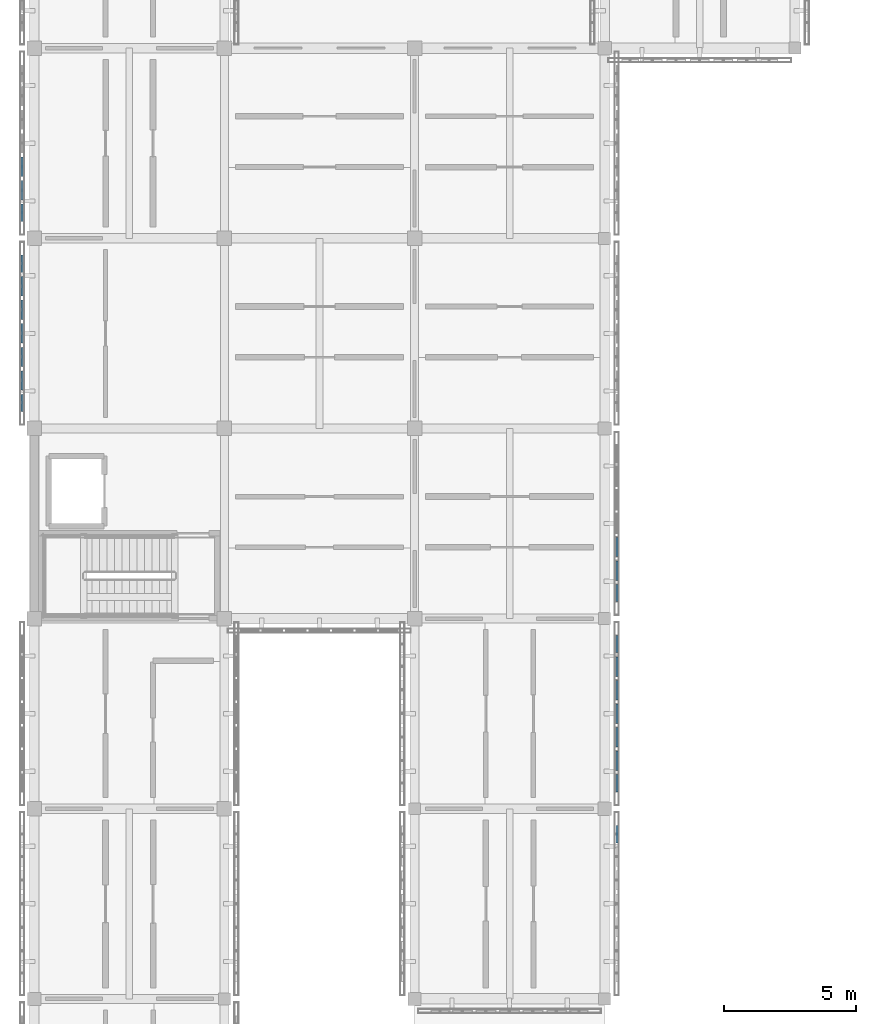
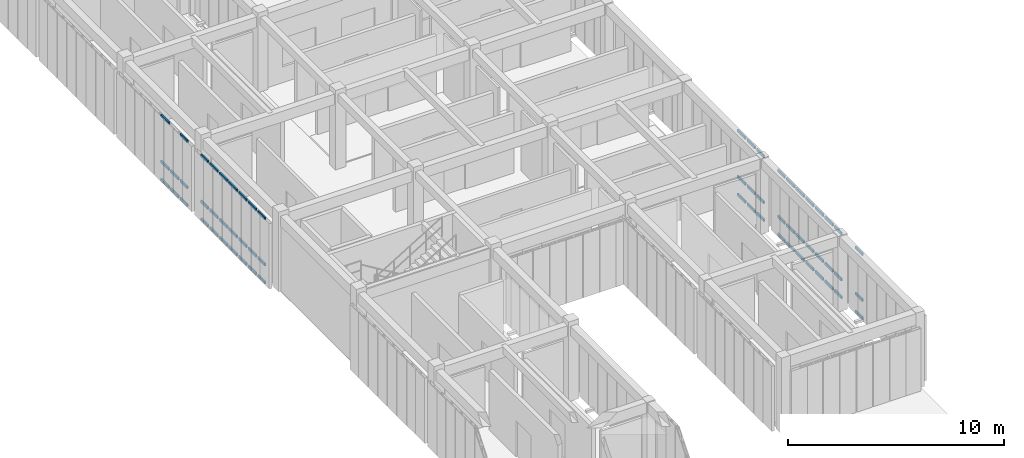
# One storey, part 20 of 91: 62 members, 5 elements without a shape of their own.
"""IFC4 building model written with IfcOpenShell, lengths in metres."""

from ifc_helpers import new_model, si_unit, direction, frame, origin, origin_2d, place, context, subcontext, project, spatial, hollow_rectangle, extrude, material, material_profile, profile_set, type_object, element, aggregate, save


model = new_model("IFC4")

# Units and contexts
model_context = context("Model", 3, precision=1e-05, world=origin(), true_north=direction((0.0, 1.0)))
body_context = subcontext(model_context, "Body", "Model", "MODEL_VIEW")
ifc_project = project(units=[si_unit("LENGTHUNIT", "METRE"), si_unit("AREAUNIT", "SQUARE_METRE"), si_unit("VOLUMEUNIT", "CUBIC_METRE"), si_unit("PLANEANGLEUNIT", "RADIAN"), si_unit("MASSUNIT", "GRAM", prefix="KILO")], contexts=[model_context])

# Site, building, storey
site_placement = place(None, origin())
site = spatial("IfcSite", under=ifc_project, at=site_placement, CompositionType="ELEMENT")
building_placement = place(site_placement, origin())
building = spatial("IfcBuilding", under=site, at=building_placement, Name="Aldebral Square Health Centre", CompositionType="ELEMENT")
storey_placement = place(building_placement, frame((0.0, 0.0, 9.0)))
storey = spatial("IfcBuildingStorey", under=building, at=storey_placement, Name="L02", CompositionType="ELEMENT", Elevation=9.0)

# Curtain wall, members
ifc_material_1 = material(Name="Aluminium and low-E solar glass", Category="aluminium")
curtain_wall_type = type_object("IfcCurtainWallType", Name="CW-FIN-SYS", PredefinedType="USERDEFINED", material=ifc_material_1)
curtain_wall_1_placement = place(storey_placement, origin())
curtain_wall_1 = element("IfcCurtainWall", 1, at=curtain_wall_1_placement, inside=storey, type_object=curtain_wall_type, Name="L02 V6 finned curtain wall L02-V6-00-05-W", ObjectType="SOLAR_CURTAIN_WALL", PredefinedType="USERDEFINED")
ifc_material_2 = material(Name="Anodised aluminium transom", Category="aluminium")
ifc_material_profile = material_profile(ifc_material_2, hollow_rectangle(XDim=0.074951171875, YDim=0.14990234375, WallThickness=0.00390625, at=origin_2d()), Name="CWT 75x150x4")
ifc_profile_set = profile_set([ifc_material_profile], Name="Anodised aluminium transom")
member_type = type_object("IfcMemberType", Name="CWT-STD", PredefinedType="USERDEFINED", material=ifc_profile_set)
member_1_placement = place(storey_placement, frame((-0.4599609375, 42.56005859375, 0.03759765625), z_axis=(0.0, -1.0, 0.0), x_axis=(1.0, 0.0, 0.0)))
member_1 = element("IfcMember", 2, at=member_1_placement, type_object=member_type, Name="CW1 transom 1.1", ObjectType="TRANSOM", PredefinedType="USERDEFINED", context=body_context, shape_type="SweptSolid", body=[
    extrude(hollow_rectangle(XDim=0.074951171875, YDim=0.14990234375, WallThickness=0.00390625, at=origin_2d()), origin(), (0.0, 0.0, 1.0), 0.6513671875),
])
member_2_placement = place(storey_placement, frame((-0.4599609375, 42.56005859375, 1.050048828125), z_axis=(0.0, -1.0, 0.0), x_axis=(1.0, 0.0, 0.0)))
member_2 = element("IfcMember", 3, at=member_2_placement, type_object=member_type, Name="CW1 transom 1.2", ObjectType="TRANSOM", PredefinedType="USERDEFINED", context=body_context, shape_type="SweptSolid", body=[
    extrude(hollow_rectangle(XDim=0.074951171875, YDim=0.14990234375, WallThickness=0.00390625, at=origin_2d()), origin(), (0.0, 0.0, 1.0), 0.6513671875),
])
member_3_placement = place(storey_placement, frame((-0.4599609375, 42.56005859375, 3.652587890625), z_axis=(0.0, -1.0, 0.0), x_axis=(1.0, 0.0, 0.0)))
member_3 = element("IfcMember", 4, at=member_3_placement, type_object=member_type, Name="CW1 transom 1.3", ObjectType="TRANSOM", PredefinedType="USERDEFINED", context=body_context, shape_type="SweptSolid", body=[
    extrude(hollow_rectangle(XDim=0.074951171875, YDim=0.14990234375, WallThickness=0.00390625, at=origin_2d()), origin(), (0.0, 0.0, 1.0), 0.6513671875),
])
member_4_placement = place(storey_placement, frame((-0.4599609375, 41.74853515625, 0.03759765625), z_axis=(0.0, -1.0, 0.0), x_axis=(1.0, 0.0, 0.0)))
member_4 = element("IfcMember", 5, at=member_4_placement, type_object=member_type, Name="CW1 transom 2.1", ObjectType="TRANSOM", PredefinedType="USERDEFINED", context=body_context, shape_type="SweptSolid", body=[
    extrude(hollow_rectangle(XDim=0.074951171875, YDim=0.14990234375, WallThickness=0.00390625, at=origin_2d()), origin(), (0.0, 0.0, 1.0), 0.7314453125),
])
member_5_placement = place(storey_placement, frame((-0.4599609375, 41.74853515625, 1.050048828125), z_axis=(0.0, -1.0, 0.0), x_axis=(1.0, 0.0, 0.0)))
member_5 = element("IfcMember", 6, at=member_5_placement, type_object=member_type, Name="CW1 transom 2.2", ObjectType="TRANSOM", PredefinedType="USERDEFINED", context=body_context, shape_type="SweptSolid", body=[
    extrude(hollow_rectangle(XDim=0.074951171875, YDim=0.14990234375, WallThickness=0.00390625, at=origin_2d()), origin(), (0.0, 0.0, 1.0), 0.7314453125),
])
member_6_placement = place(storey_placement, frame((-0.4599609375, 41.74853515625, 3.652587890625), z_axis=(0.0, -1.0, 0.0), x_axis=(1.0, 0.0, 0.0)))
member_6 = element("IfcMember", 7, at=member_6_placement, type_object=member_type, Name="CW1 transom 2.3", ObjectType="TRANSOM", PredefinedType="USERDEFINED", context=body_context, shape_type="SweptSolid", body=[
    extrude(hollow_rectangle(XDim=0.074951171875, YDim=0.14990234375, WallThickness=0.00390625, at=origin_2d()), origin(), (0.0, 0.0, 1.0), 0.7314453125),
])
member_7_placement = place(storey_placement, frame((-0.4599609375, 40.857177734375, 0.03759765625), z_axis=(0.0, -1.0, 0.0), x_axis=(1.0, 0.0, 0.0)))
member_7 = element("IfcMember", 8, at=member_7_placement, type_object=member_type, Name="CW1 transom 3.1", ObjectType="TRANSOM", PredefinedType="USERDEFINED", context=body_context, shape_type="SweptSolid", body=[
    extrude(hollow_rectangle(XDim=0.074951171875, YDim=0.14990234375, WallThickness=0.00390625, at=origin_2d()), origin(), (0.0, 0.0, 1.0), 0.7314453125),
])
member_8_placement = place(storey_placement, frame((-0.4599609375, 40.857177734375, 1.050048828125), z_axis=(0.0, -1.0, 0.0), x_axis=(1.0, 0.0, 0.0)))
member_8 = element("IfcMember", 9, at=member_8_placement, type_object=member_type, Name="CW1 transom 3.2", ObjectType="TRANSOM", PredefinedType="USERDEFINED", context=body_context, shape_type="SweptSolid", body=[
    extrude(hollow_rectangle(XDim=0.074951171875, YDim=0.14990234375, WallThickness=0.00390625, at=origin_2d()), origin(), (0.0, 0.0, 1.0), 0.7314453125),
])
member_9_placement = place(storey_placement, frame((-0.4599609375, 40.857177734375, 3.652587890625), z_axis=(0.0, -1.0, 0.0), x_axis=(1.0, 0.0, 0.0)))
member_9 = element("IfcMember", 10, at=member_9_placement, type_object=member_type, Name="CW1 transom 3.3", ObjectType="TRANSOM", PredefinedType="USERDEFINED", context=body_context, shape_type="SweptSolid", body=[
    extrude(hollow_rectangle(XDim=0.074951171875, YDim=0.14990234375, WallThickness=0.00390625, at=origin_2d()), origin(), (0.0, 0.0, 1.0), 0.7314453125),
])
member_10_placement = place(storey_placement, frame((-0.4599609375, 39.9658203125, 0.03759765625), z_axis=(0.0, -1.0, 0.0), x_axis=(1.0, 0.0, 0.0)))
member_10 = element("IfcMember", 11, at=member_10_placement, type_object=member_type, Name="CW1 transom 4.1", ObjectType="TRANSOM", PredefinedType="USERDEFINED", context=body_context, shape_type="SweptSolid", body=[
    extrude(hollow_rectangle(XDim=0.074951171875, YDim=0.14990234375, WallThickness=0.00390625, at=origin_2d()), origin(), (0.0, 0.0, 1.0), 0.7314453125),
])
member_11_placement = place(storey_placement, frame((-0.4599609375, 39.9658203125, 1.050048828125), z_axis=(0.0, -1.0, 0.0), x_axis=(1.0, 0.0, 0.0)))
member_11 = element("IfcMember", 12, at=member_11_placement, type_object=member_type, Name="CW1 transom 4.2", ObjectType="TRANSOM", PredefinedType="USERDEFINED", context=body_context, shape_type="SweptSolid", body=[
    extrude(hollow_rectangle(XDim=0.074951171875, YDim=0.14990234375, WallThickness=0.00390625, at=origin_2d()), origin(), (0.0, 0.0, 1.0), 0.7314453125),
])
member_12_placement = place(storey_placement, frame((-0.4599609375, 39.9658203125, 3.652587890625), z_axis=(0.0, -1.0, 0.0), x_axis=(1.0, 0.0, 0.0)))
member_12 = element("IfcMember", 13, at=member_12_placement, type_object=member_type, Name="CW1 transom 4.3", ObjectType="TRANSOM", PredefinedType="USERDEFINED", context=body_context, shape_type="SweptSolid", body=[
    extrude(hollow_rectangle(XDim=0.074951171875, YDim=0.14990234375, WallThickness=0.00390625, at=origin_2d()), origin(), (0.0, 0.0, 1.0), 0.7314453125),
])
member_13_placement = place(storey_placement, frame((-0.4599609375, 39.07421875, 0.03759765625), z_axis=(0.0, -1.0, 0.0), x_axis=(1.0, 0.0, 0.0)))
member_13 = element("IfcMember", 14, at=member_13_placement, type_object=member_type, Name="CW1 transom 5.1", ObjectType="TRANSOM", PredefinedType="USERDEFINED", context=body_context, shape_type="SweptSolid", body=[
    extrude(hollow_rectangle(XDim=0.074951171875, YDim=0.14990234375, WallThickness=0.00390625, at=origin_2d()), origin(), (0.0, 0.0, 1.0), 0.7314453125),
])
member_14_placement = place(storey_placement, frame((-0.4599609375, 39.07421875, 1.050048828125), z_axis=(0.0, -1.0, 0.0), x_axis=(1.0, 0.0, 0.0)))
member_14 = element("IfcMember", 15, at=member_14_placement, type_object=member_type, Name="CW1 transom 5.2", ObjectType="TRANSOM", PredefinedType="USERDEFINED", context=body_context, shape_type="SweptSolid", body=[
    extrude(hollow_rectangle(XDim=0.074951171875, YDim=0.14990234375, WallThickness=0.00390625, at=origin_2d()), origin(), (0.0, 0.0, 1.0), 0.7314453125),
])
member_15_placement = place(storey_placement, frame((-0.4599609375, 39.07421875, 3.652587890625), z_axis=(0.0, -1.0, 0.0), x_axis=(1.0, 0.0, 0.0)))
member_15 = element("IfcMember", 16, at=member_15_placement, type_object=member_type, Name="CW1 transom 5.3", ObjectType="TRANSOM", PredefinedType="USERDEFINED", context=body_context, shape_type="SweptSolid", body=[
    extrude(hollow_rectangle(XDim=0.074951171875, YDim=0.14990234375, WallThickness=0.00390625, at=origin_2d()), origin(), (0.0, 0.0, 1.0), 0.7314453125),
])
member_16_placement = place(storey_placement, frame((-0.4599609375, 38.182861328125, 0.03759765625), z_axis=(0.0, -1.0, 0.0), x_axis=(1.0, 0.0, 0.0)))
member_16 = element("IfcMember", 17, at=member_16_placement, type_object=member_type, Name="CW1 transom 6.1", ObjectType="TRANSOM", PredefinedType="USERDEFINED", context=body_context, shape_type="SweptSolid", body=[
    extrude(hollow_rectangle(XDim=0.074951171875, YDim=0.14990234375, WallThickness=0.00390625, at=origin_2d()), origin(), (0.0, 0.0, 1.0), 0.7314453125),
])
member_17_placement = place(storey_placement, frame((-0.4599609375, 38.182861328125, 1.050048828125), z_axis=(0.0, -1.0, 0.0), x_axis=(1.0, 0.0, 0.0)))
member_17 = element("IfcMember", 18, at=member_17_placement, type_object=member_type, Name="CW1 transom 6.2", ObjectType="TRANSOM", PredefinedType="USERDEFINED", context=body_context, shape_type="SweptSolid", body=[
    extrude(hollow_rectangle(XDim=0.074951171875, YDim=0.14990234375, WallThickness=0.00390625, at=origin_2d()), origin(), (0.0, 0.0, 1.0), 0.7314453125),
])
member_18_placement = place(storey_placement, frame((-0.4599609375, 38.182861328125, 3.652587890625), z_axis=(0.0, -1.0, 0.0), x_axis=(1.0, 0.0, 0.0)))
member_18 = element("IfcMember", 19, at=member_18_placement, type_object=member_type, Name="CW1 transom 6.3", ObjectType="TRANSOM", PredefinedType="USERDEFINED", context=body_context, shape_type="SweptSolid", body=[
    extrude(hollow_rectangle(XDim=0.074951171875, YDim=0.14990234375, WallThickness=0.00390625, at=origin_2d()), origin(), (0.0, 0.0, 1.0), 0.7314453125),
])
member_19_placement = place(storey_placement, frame((-0.4599609375, 37.29150390625, 0.03759765625), z_axis=(0.0, -1.0, 0.0), x_axis=(1.0, 0.0, 0.0)))
member_19 = element("IfcMember", 20, at=member_19_placement, type_object=member_type, Name="CW1 transom 7.1", ObjectType="TRANSOM", PredefinedType="USERDEFINED", context=body_context, shape_type="SweptSolid", body=[
    extrude(hollow_rectangle(XDim=0.074951171875, YDim=0.14990234375, WallThickness=0.00390625, at=origin_2d()), origin(), (0.0, 0.0, 1.0), 0.651611328125),
])
member_20_placement = place(storey_placement, frame((-0.4599609375, 37.29150390625, 1.050048828125), z_axis=(0.0, -1.0, 0.0), x_axis=(1.0, 0.0, 0.0)))
member_20 = element("IfcMember", 21, at=member_20_placement, type_object=member_type, Name="CW1 transom 7.2", ObjectType="TRANSOM", PredefinedType="USERDEFINED", context=body_context, shape_type="SweptSolid", body=[
    extrude(hollow_rectangle(XDim=0.074951171875, YDim=0.14990234375, WallThickness=0.00390625, at=origin_2d()), origin(), (0.0, 0.0, 1.0), 0.651611328125),
])
member_21_placement = place(storey_placement, frame((-0.4599609375, 37.29150390625, 3.652587890625), z_axis=(0.0, -1.0, 0.0), x_axis=(1.0, 0.0, 0.0)))
member_21 = element("IfcMember", 22, at=member_21_placement, type_object=member_type, Name="CW1 transom 7.3", ObjectType="TRANSOM", PredefinedType="USERDEFINED", context=body_context, shape_type="SweptSolid", body=[
    extrude(hollow_rectangle(XDim=0.074951171875, YDim=0.14990234375, WallThickness=0.00390625, at=origin_2d()), origin(), (0.0, 0.0, 1.0), 0.651611328125),
])
aggregate(curtain_wall_1, [member_1, member_2, member_3, member_4, member_5, member_6, member_7, member_8, member_9, member_10, member_11, member_12, member_13, member_14, member_15, member_16, member_17, member_18, member_19, member_20, member_21])

curtain_wall_2_placement = place(storey_placement, origin())
curtain_wall_2 = element("IfcCurtainWall", 23, at=curtain_wall_2_placement, inside=storey, type_object=curtain_wall_type, Name="L02 V6 finned curtain wall L02-V6-00-06-W", ObjectType="SOLAR_CURTAIN_WALL", PredefinedType="USERDEFINED")
member_22_placement = place(storey_placement, frame((-0.4599609375, 46.274169921875, 0.03759765625), z_axis=(0.0, -1.0, 0.0), x_axis=(1.0, 0.0, 0.0)))
member_22 = element("IfcMember", 24, at=member_22_placement, type_object=member_type, Name="CW1 transom 5.1", ObjectType="TRANSOM", PredefinedType="USERDEFINED", context=body_context, shape_type="SweptSolid", body=[
    extrude(hollow_rectangle(XDim=0.074951171875, YDim=0.14990234375, WallThickness=0.00390625, at=origin_2d()), origin(), (0.0, 0.0, 1.0), 0.731201171875),
])
member_23_placement = place(storey_placement, frame((-0.4599609375, 46.274169921875, 1.050048828125), z_axis=(0.0, -1.0, 0.0), x_axis=(1.0, 0.0, 0.0)))
member_23 = element("IfcMember", 25, at=member_23_placement, type_object=member_type, Name="CW1 transom 5.2", ObjectType="TRANSOM", PredefinedType="USERDEFINED", context=body_context, shape_type="SweptSolid", body=[
    extrude(hollow_rectangle(XDim=0.074951171875, YDim=0.14990234375, WallThickness=0.00390625, at=origin_2d()), origin(), (0.0, 0.0, 1.0), 0.731201171875),
])
member_24_placement = place(storey_placement, frame((-0.4599609375, 46.274169921875, 3.652587890625), z_axis=(0.0, -1.0, 0.0), x_axis=(1.0, 0.0, 0.0)))
member_24 = element("IfcMember", 26, at=member_24_placement, type_object=member_type, Name="CW1 transom 5.3", ObjectType="TRANSOM", PredefinedType="USERDEFINED", context=body_context, shape_type="SweptSolid", body=[
    extrude(hollow_rectangle(XDim=0.074951171875, YDim=0.14990234375, WallThickness=0.00390625, at=origin_2d()), origin(), (0.0, 0.0, 1.0), 0.731201171875),
])
member_25_placement = place(storey_placement, frame((-0.4599609375, 45.3828125, 0.03759765625), z_axis=(0.0, -1.0, 0.0), x_axis=(1.0, 0.0, 0.0)))
member_25 = element("IfcMember", 27, at=member_25_placement, type_object=member_type, Name="CW1 transom 6.1", ObjectType="TRANSOM", PredefinedType="USERDEFINED", context=body_context, shape_type="SweptSolid", body=[
    extrude(hollow_rectangle(XDim=0.074951171875, YDim=0.14990234375, WallThickness=0.00390625, at=origin_2d()), origin(), (0.0, 0.0, 1.0), 0.7314453125),
])
member_26_placement = place(storey_placement, frame((-0.4599609375, 45.3828125, 1.050048828125), z_axis=(0.0, -1.0, 0.0), x_axis=(1.0, 0.0, 0.0)))
member_26 = element("IfcMember", 28, at=member_26_placement, type_object=member_type, Name="CW1 transom 6.2", ObjectType="TRANSOM", PredefinedType="USERDEFINED", context=body_context, shape_type="SweptSolid", body=[
    extrude(hollow_rectangle(XDim=0.074951171875, YDim=0.14990234375, WallThickness=0.00390625, at=origin_2d()), origin(), (0.0, 0.0, 1.0), 0.7314453125),
])
member_27_placement = place(storey_placement, frame((-0.4599609375, 44.491455078125, 0.03759765625), z_axis=(0.0, -1.0, 0.0), x_axis=(1.0, 0.0, 0.0)))
member_27 = element("IfcMember", 29, at=member_27_placement, type_object=member_type, Name="CW1 transom 7.1", ObjectType="TRANSOM", PredefinedType="USERDEFINED", context=body_context, shape_type="SweptSolid", body=[
    extrude(hollow_rectangle(XDim=0.074951171875, YDim=0.14990234375, WallThickness=0.00390625, at=origin_2d()), origin(), (0.0, 0.0, 1.0), 0.6513671875),
])
member_28_placement = place(storey_placement, frame((-0.4599609375, 44.491455078125, 1.050048828125), z_axis=(0.0, -1.0, 0.0), x_axis=(1.0, 0.0, 0.0)))
member_28 = element("IfcMember", 30, at=member_28_placement, type_object=member_type, Name="CW1 transom 7.2", ObjectType="TRANSOM", PredefinedType="USERDEFINED", context=body_context, shape_type="SweptSolid", body=[
    extrude(hollow_rectangle(XDim=0.074951171875, YDim=0.14990234375, WallThickness=0.00390625, at=origin_2d()), origin(), (0.0, 0.0, 1.0), 0.6513671875),
])
member_29_placement = place(storey_placement, frame((-0.4599609375, 44.491455078125, 3.652587890625), z_axis=(0.0, -1.0, 0.0), x_axis=(1.0, 0.0, 0.0)))
member_29 = element("IfcMember", 31, at=member_29_placement, type_object=member_type, Name="CW1 transom 7.3", ObjectType="TRANSOM", PredefinedType="USERDEFINED", context=body_context, shape_type="SweptSolid", body=[
    extrude(hollow_rectangle(XDim=0.074951171875, YDim=0.14990234375, WallThickness=0.00390625, at=origin_2d()), origin(), (0.0, 0.0, 1.0), 0.6513671875),
])
aggregate(curtain_wall_2, [member_22, member_23, member_24, member_25, member_26, member_27, member_28, member_29])

curtain_wall_3_placement = place(storey_placement, origin())
curtain_wall_3 = element("IfcCurtainWall", 32, at=curtain_wall_3_placement, inside=storey, type_object=curtain_wall_type, Name="L02 V6 finned curtain wall L02-V6-02-02-E", ObjectType="SOLAR_CURTAIN_WALL", PredefinedType="USERDEFINED")
member_30_placement = place(storey_placement, frame((22.06005859375, 20.30859375, 0.03759765625), z_axis=(0.0, 1.0, 0.0), x_axis=(-1.0, 0.0, 0.0)))
member_30 = element("IfcMember", 33, at=member_30_placement, type_object=member_type, Name="CW1 transom 7.1", ObjectType="TRANSOM", PredefinedType="USERDEFINED", context=body_context, shape_type="SweptSolid", body=[
    extrude(hollow_rectangle(XDim=0.074951171875, YDim=0.14990234375, WallThickness=0.00390625, at=origin_2d()), origin(), (0.0, 0.0, 1.0), 0.6513671875),
])
member_31_placement = place(storey_placement, frame((22.06005859375, 20.30859375, 1.050048828125), z_axis=(0.0, 1.0, 0.0), x_axis=(-1.0, 0.0, 0.0)))
member_31 = element("IfcMember", 34, at=member_31_placement, type_object=member_type, Name="CW1 transom 7.2", ObjectType="TRANSOM", PredefinedType="USERDEFINED", context=body_context, shape_type="SweptSolid", body=[
    extrude(hollow_rectangle(XDim=0.074951171875, YDim=0.14990234375, WallThickness=0.00390625, at=origin_2d()), origin(), (0.0, 0.0, 1.0), 0.6513671875),
])
member_32_placement = place(storey_placement, frame((22.06005859375, 20.30859375, 3.652587890625), z_axis=(0.0, 1.0, 0.0), x_axis=(-1.0, 0.0, 0.0)))
member_32 = element("IfcMember", 35, at=member_32_placement, type_object=member_type, Name="CW1 transom 7.3", ObjectType="TRANSOM", PredefinedType="USERDEFINED", context=body_context, shape_type="SweptSolid", body=[
    extrude(hollow_rectangle(XDim=0.074951171875, YDim=0.14990234375, WallThickness=0.00390625, at=origin_2d()), origin(), (0.0, 0.0, 1.0), 0.6513671875),
])
aggregate(curtain_wall_3, [member_30, member_31, member_32])

curtain_wall_4_placement = place(storey_placement, origin())
curtain_wall_4 = element("IfcCurtainWall", 36, at=curtain_wall_4_placement, inside=storey, type_object=curtain_wall_type, Name="L02 V6 finned curtain wall L02-V6-02-03-E", ObjectType="SOLAR_CURTAIN_WALL", PredefinedType="USERDEFINED")
member_33_placement = place(storey_placement, frame((22.06005859375, 22.239990234375, 0.03759765625), z_axis=(0.0, 1.0, 0.0), x_axis=(-1.0, 0.0, 0.0)))
member_33 = element("IfcMember", 37, at=member_33_placement, type_object=member_type, Name="CW1 transom 1.1", ObjectType="TRANSOM", PredefinedType="USERDEFINED", context=body_context, shape_type="SweptSolid", body=[
    extrude(hollow_rectangle(XDim=0.074951171875, YDim=0.14990234375, WallThickness=0.00390625, at=origin_2d()), origin(), (0.0, 0.0, 1.0), 0.6513671875),
])
member_34_placement = place(storey_placement, frame((22.06005859375, 22.239990234375, 1.050048828125), z_axis=(0.0, 1.0, 0.0), x_axis=(-1.0, 0.0, 0.0)))
member_34 = element("IfcMember", 38, at=member_34_placement, type_object=member_type, Name="CW1 transom 1.2", ObjectType="TRANSOM", PredefinedType="USERDEFINED", context=body_context, shape_type="SweptSolid", body=[
    extrude(hollow_rectangle(XDim=0.074951171875, YDim=0.14990234375, WallThickness=0.00390625, at=origin_2d()), origin(), (0.0, 0.0, 1.0), 0.6513671875),
])
member_35_placement = place(storey_placement, frame((22.06005859375, 22.239990234375, 3.652587890625), z_axis=(0.0, 1.0, 0.0), x_axis=(-1.0, 0.0, 0.0)))
member_35 = element("IfcMember", 39, at=member_35_placement, type_object=member_type, Name="CW1 transom 1.3", ObjectType="TRANSOM", PredefinedType="USERDEFINED", context=body_context, shape_type="SweptSolid", body=[
    extrude(hollow_rectangle(XDim=0.074951171875, YDim=0.14990234375, WallThickness=0.00390625, at=origin_2d()), origin(), (0.0, 0.0, 1.0), 0.6513671875),
])
member_36_placement = place(storey_placement, frame((22.06005859375, 23.051513671875, 0.03759765625), z_axis=(0.0, 1.0, 0.0), x_axis=(-1.0, 0.0, 0.0)))
member_36 = element("IfcMember", 40, at=member_36_placement, type_object=member_type, Name="CW1 transom 2.1", ObjectType="TRANSOM", PredefinedType="USERDEFINED", context=body_context, shape_type="SweptSolid", body=[
    extrude(hollow_rectangle(XDim=0.074951171875, YDim=0.14990234375, WallThickness=0.00390625, at=origin_2d()), origin(), (0.0, 0.0, 1.0), 0.7314453125),
])
member_37_placement = place(storey_placement, frame((22.06005859375, 23.051513671875, 1.050048828125), z_axis=(0.0, 1.0, 0.0), x_axis=(-1.0, 0.0, 0.0)))
member_37 = element("IfcMember", 41, at=member_37_placement, type_object=member_type, Name="CW1 transom 2.2", ObjectType="TRANSOM", PredefinedType="USERDEFINED", context=body_context, shape_type="SweptSolid", body=[
    extrude(hollow_rectangle(XDim=0.074951171875, YDim=0.14990234375, WallThickness=0.00390625, at=origin_2d()), origin(), (0.0, 0.0, 1.0), 0.7314453125),
])
member_38_placement = place(storey_placement, frame((22.06005859375, 23.051513671875, 3.652587890625), z_axis=(0.0, 1.0, 0.0), x_axis=(-1.0, 0.0, 0.0)))
member_38 = element("IfcMember", 42, at=member_38_placement, type_object=member_type, Name="CW1 transom 2.3", ObjectType="TRANSOM", PredefinedType="USERDEFINED", context=body_context, shape_type="SweptSolid", body=[
    extrude(hollow_rectangle(XDim=0.074951171875, YDim=0.14990234375, WallThickness=0.00390625, at=origin_2d()), origin(), (0.0, 0.0, 1.0), 0.7314453125),
])
member_39_placement = place(storey_placement, frame((22.06005859375, 23.94287109375, 0.03759765625), z_axis=(0.0, 1.0, 0.0), x_axis=(-1.0, 0.0, 0.0)))
member_39 = element("IfcMember", 43, at=member_39_placement, type_object=member_type, Name="CW1 transom 3.1", ObjectType="TRANSOM", PredefinedType="USERDEFINED", context=body_context, shape_type="SweptSolid", body=[
    extrude(hollow_rectangle(XDim=0.074951171875, YDim=0.14990234375, WallThickness=0.00390625, at=origin_2d()), origin(), (0.0, 0.0, 1.0), 0.7314453125),
])
member_40_placement = place(storey_placement, frame((22.06005859375, 23.94287109375, 1.050048828125), z_axis=(0.0, 1.0, 0.0), x_axis=(-1.0, 0.0, 0.0)))
member_40 = element("IfcMember", 44, at=member_40_placement, type_object=member_type, Name="CW1 transom 3.2", ObjectType="TRANSOM", PredefinedType="USERDEFINED", context=body_context, shape_type="SweptSolid", body=[
    extrude(hollow_rectangle(XDim=0.074951171875, YDim=0.14990234375, WallThickness=0.00390625, at=origin_2d()), origin(), (0.0, 0.0, 1.0), 0.7314453125),
])
member_41_placement = place(storey_placement, frame((22.06005859375, 23.94287109375, 3.652587890625), z_axis=(0.0, 1.0, 0.0), x_axis=(-1.0, 0.0, 0.0)))
member_41 = element("IfcMember", 45, at=member_41_placement, type_object=member_type, Name="CW1 transom 3.3", ObjectType="TRANSOM", PredefinedType="USERDEFINED", context=body_context, shape_type="SweptSolid", body=[
    extrude(hollow_rectangle(XDim=0.074951171875, YDim=0.14990234375, WallThickness=0.00390625, at=origin_2d()), origin(), (0.0, 0.0, 1.0), 0.7314453125),
])
member_42_placement = place(storey_placement, frame((22.06005859375, 24.834228515625, 0.03759765625), z_axis=(0.0, 1.0, 0.0), x_axis=(-1.0, 0.0, 0.0)))
member_42 = element("IfcMember", 46, at=member_42_placement, type_object=member_type, Name="CW1 transom 4.1", ObjectType="TRANSOM", PredefinedType="USERDEFINED", context=body_context, shape_type="SweptSolid", body=[
    extrude(hollow_rectangle(XDim=0.074951171875, YDim=0.14990234375, WallThickness=0.00390625, at=origin_2d()), origin(), (0.0, 0.0, 1.0), 0.7314453125),
])
member_43_placement = place(storey_placement, frame((22.06005859375, 24.834228515625, 1.050048828125), z_axis=(0.0, 1.0, 0.0), x_axis=(-1.0, 0.0, 0.0)))
member_43 = element("IfcMember", 47, at=member_43_placement, type_object=member_type, Name="CW1 transom 4.2", ObjectType="TRANSOM", PredefinedType="USERDEFINED", context=body_context, shape_type="SweptSolid", body=[
    extrude(hollow_rectangle(XDim=0.074951171875, YDim=0.14990234375, WallThickness=0.00390625, at=origin_2d()), origin(), (0.0, 0.0, 1.0), 0.7314453125),
])
member_44_placement = place(storey_placement, frame((22.06005859375, 24.834228515625, 3.652587890625), z_axis=(0.0, 1.0, 0.0), x_axis=(-1.0, 0.0, 0.0)))
member_44 = element("IfcMember", 48, at=member_44_placement, type_object=member_type, Name="CW1 transom 4.3", ObjectType="TRANSOM", PredefinedType="USERDEFINED", context=body_context, shape_type="SweptSolid", body=[
    extrude(hollow_rectangle(XDim=0.074951171875, YDim=0.14990234375, WallThickness=0.00390625, at=origin_2d()), origin(), (0.0, 0.0, 1.0), 0.7314453125),
])
member_45_placement = place(storey_placement, frame((22.06005859375, 25.725830078125, 0.03759765625), z_axis=(0.0, 1.0, 0.0), x_axis=(-1.0, 0.0, 0.0)))
member_45 = element("IfcMember", 49, at=member_45_placement, type_object=member_type, Name="CW1 transom 5.1", ObjectType="TRANSOM", PredefinedType="USERDEFINED", context=body_context, shape_type="SweptSolid", body=[
    extrude(hollow_rectangle(XDim=0.074951171875, YDim=0.14990234375, WallThickness=0.00390625, at=origin_2d()), origin(), (0.0, 0.0, 1.0), 0.731201171875),
])
member_46_placement = place(storey_placement, frame((22.06005859375, 25.725830078125, 1.050048828125), z_axis=(0.0, 1.0, 0.0), x_axis=(-1.0, 0.0, 0.0)))
member_46 = element("IfcMember", 50, at=member_46_placement, type_object=member_type, Name="CW1 transom 5.2", ObjectType="TRANSOM", PredefinedType="USERDEFINED", context=body_context, shape_type="SweptSolid", body=[
    extrude(hollow_rectangle(XDim=0.074951171875, YDim=0.14990234375, WallThickness=0.00390625, at=origin_2d()), origin(), (0.0, 0.0, 1.0), 0.731201171875),
])
member_47_placement = place(storey_placement, frame((22.06005859375, 25.725830078125, 3.652587890625), z_axis=(0.0, 1.0, 0.0), x_axis=(-1.0, 0.0, 0.0)))
member_47 = element("IfcMember", 51, at=member_47_placement, type_object=member_type, Name="CW1 transom 5.3", ObjectType="TRANSOM", PredefinedType="USERDEFINED", context=body_context, shape_type="SweptSolid", body=[
    extrude(hollow_rectangle(XDim=0.074951171875, YDim=0.14990234375, WallThickness=0.00390625, at=origin_2d()), origin(), (0.0, 0.0, 1.0), 0.731201171875),
])
member_48_placement = place(storey_placement, frame((22.06005859375, 26.6171875, 0.03759765625), z_axis=(0.0, 1.0, 0.0), x_axis=(-1.0, 0.0, 0.0)))
member_48 = element("IfcMember", 52, at=member_48_placement, type_object=member_type, Name="CW1 transom 6.1", ObjectType="TRANSOM", PredefinedType="USERDEFINED", context=body_context, shape_type="SweptSolid", body=[
    extrude(hollow_rectangle(XDim=0.074951171875, YDim=0.14990234375, WallThickness=0.00390625, at=origin_2d()), origin(), (0.0, 0.0, 1.0), 0.7314453125),
])
member_49_placement = place(storey_placement, frame((22.06005859375, 26.6171875, 1.050048828125), z_axis=(0.0, 1.0, 0.0), x_axis=(-1.0, 0.0, 0.0)))
member_49 = element("IfcMember", 53, at=member_49_placement, type_object=member_type, Name="CW1 transom 6.2", ObjectType="TRANSOM", PredefinedType="USERDEFINED", context=body_context, shape_type="SweptSolid", body=[
    extrude(hollow_rectangle(XDim=0.074951171875, YDim=0.14990234375, WallThickness=0.00390625, at=origin_2d()), origin(), (0.0, 0.0, 1.0), 0.7314453125),
])
member_50_placement = place(storey_placement, frame((22.06005859375, 26.6171875, 3.652587890625), z_axis=(0.0, 1.0, 0.0), x_axis=(-1.0, 0.0, 0.0)))
member_50 = element("IfcMember", 54, at=member_50_placement, type_object=member_type, Name="CW1 transom 6.3", ObjectType="TRANSOM", PredefinedType="USERDEFINED", context=body_context, shape_type="SweptSolid", body=[
    extrude(hollow_rectangle(XDim=0.074951171875, YDim=0.14990234375, WallThickness=0.00390625, at=origin_2d()), origin(), (0.0, 0.0, 1.0), 0.7314453125),
])
member_51_placement = place(storey_placement, frame((22.06005859375, 27.508544921875, 0.03759765625), z_axis=(0.0, 1.0, 0.0), x_axis=(-1.0, 0.0, 0.0)))
member_51 = element("IfcMember", 55, at=member_51_placement, type_object=member_type, Name="CW1 transom 7.1", ObjectType="TRANSOM", PredefinedType="USERDEFINED", context=body_context, shape_type="SweptSolid", body=[
    extrude(hollow_rectangle(XDim=0.074951171875, YDim=0.14990234375, WallThickness=0.00390625, at=origin_2d()), origin(), (0.0, 0.0, 1.0), 0.6513671875),
])
member_52_placement = place(storey_placement, frame((22.06005859375, 27.508544921875, 1.050048828125), z_axis=(0.0, 1.0, 0.0), x_axis=(-1.0, 0.0, 0.0)))
member_52 = element("IfcMember", 56, at=member_52_placement, type_object=member_type, Name="CW1 transom 7.2", ObjectType="TRANSOM", PredefinedType="USERDEFINED", context=body_context, shape_type="SweptSolid", body=[
    extrude(hollow_rectangle(XDim=0.074951171875, YDim=0.14990234375, WallThickness=0.00390625, at=origin_2d()), origin(), (0.0, 0.0, 1.0), 0.6513671875),
])
member_53_placement = place(storey_placement, frame((22.06005859375, 27.508544921875, 3.652587890625), z_axis=(0.0, 1.0, 0.0), x_axis=(-1.0, 0.0, 0.0)))
member_53 = element("IfcMember", 57, at=member_53_placement, type_object=member_type, Name="CW1 transom 7.3", ObjectType="TRANSOM", PredefinedType="USERDEFINED", context=body_context, shape_type="SweptSolid", body=[
    extrude(hollow_rectangle(XDim=0.074951171875, YDim=0.14990234375, WallThickness=0.00390625, at=origin_2d()), origin(), (0.0, 0.0, 1.0), 0.6513671875),
])
aggregate(curtain_wall_4, [member_33, member_34, member_35, member_36, member_37, member_38, member_39, member_40, member_41, member_42, member_43, member_44, member_45, member_46, member_47, member_48, member_49, member_50, member_51, member_52, member_53])

curtain_wall_5_placement = place(storey_placement, origin())
curtain_wall_5 = element("IfcCurtainWall", 58, at=curtain_wall_5_placement, inside=storey, type_object=curtain_wall_type, Name="L02 V6 finned curtain wall L02-V6-02-04-E", ObjectType="SOLAR_CURTAIN_WALL", PredefinedType="USERDEFINED")
member_54_placement = place(storey_placement, frame((22.06005859375, 29.43994140625, 0.03759765625), z_axis=(0.0, 1.0, 0.0), x_axis=(-1.0, 0.0, 0.0)))
member_54 = element("IfcMember", 59, at=member_54_placement, type_object=member_type, Name="CW1 transom 1.1", ObjectType="TRANSOM", PredefinedType="USERDEFINED", context=body_context, shape_type="SweptSolid", body=[
    extrude(hollow_rectangle(XDim=0.074951171875, YDim=0.14990234375, WallThickness=0.00390625, at=origin_2d()), origin(), (0.0, 0.0, 1.0), 0.6513671875),
])
member_55_placement = place(storey_placement, frame((22.06005859375, 29.43994140625, 1.050048828125), z_axis=(0.0, 1.0, 0.0), x_axis=(-1.0, 0.0, 0.0)))
member_55 = element("IfcMember", 60, at=member_55_placement, type_object=member_type, Name="CW1 transom 1.2", ObjectType="TRANSOM", PredefinedType="USERDEFINED", context=body_context, shape_type="SweptSolid", body=[
    extrude(hollow_rectangle(XDim=0.074951171875, YDim=0.14990234375, WallThickness=0.00390625, at=origin_2d()), origin(), (0.0, 0.0, 1.0), 0.6513671875),
])
member_56_placement = place(storey_placement, frame((22.06005859375, 29.43994140625, 3.652587890625), z_axis=(0.0, 1.0, 0.0), x_axis=(-1.0, 0.0, 0.0)))
member_56 = element("IfcMember", 61, at=member_56_placement, type_object=member_type, Name="CW1 transom 1.3", ObjectType="TRANSOM", PredefinedType="USERDEFINED", context=body_context, shape_type="SweptSolid", body=[
    extrude(hollow_rectangle(XDim=0.074951171875, YDim=0.14990234375, WallThickness=0.00390625, at=origin_2d()), origin(), (0.0, 0.0, 1.0), 0.6513671875),
])
member_57_placement = place(storey_placement, frame((22.06005859375, 30.25146484375, 0.03759765625), z_axis=(0.0, 1.0, 0.0), x_axis=(-1.0, 0.0, 0.0)))
member_57 = element("IfcMember", 62, at=member_57_placement, type_object=member_type, Name="CW1 transom 2.1", ObjectType="TRANSOM", PredefinedType="USERDEFINED", context=body_context, shape_type="SweptSolid", body=[
    extrude(hollow_rectangle(XDim=0.074951171875, YDim=0.14990234375, WallThickness=0.00390625, at=origin_2d()), origin(), (0.0, 0.0, 1.0), 0.7314453125),
])
member_58_placement = place(storey_placement, frame((22.06005859375, 30.25146484375, 1.050048828125), z_axis=(0.0, 1.0, 0.0), x_axis=(-1.0, 0.0, 0.0)))
member_58 = element("IfcMember", 63, at=member_58_placement, type_object=member_type, Name="CW1 transom 2.2", ObjectType="TRANSOM", PredefinedType="USERDEFINED", context=body_context, shape_type="SweptSolid", body=[
    extrude(hollow_rectangle(XDim=0.074951171875, YDim=0.14990234375, WallThickness=0.00390625, at=origin_2d()), origin(), (0.0, 0.0, 1.0), 0.7314453125),
])
member_59_placement = place(storey_placement, frame((22.06005859375, 30.25146484375, 3.652587890625), z_axis=(0.0, 1.0, 0.0), x_axis=(-1.0, 0.0, 0.0)))
member_59 = element("IfcMember", 64, at=member_59_placement, type_object=member_type, Name="CW1 transom 2.3", ObjectType="TRANSOM", PredefinedType="USERDEFINED", context=body_context, shape_type="SweptSolid", body=[
    extrude(hollow_rectangle(XDim=0.074951171875, YDim=0.14990234375, WallThickness=0.00390625, at=origin_2d()), origin(), (0.0, 0.0, 1.0), 0.7314453125),
])
member_60_placement = place(storey_placement, frame((22.06005859375, 31.142822265625, 0.03759765625), z_axis=(0.0, 1.0, 0.0), x_axis=(-1.0, 0.0, 0.0)))
member_60 = element("IfcMember", 65, at=member_60_placement, type_object=member_type, Name="CW1 transom 3.1", ObjectType="TRANSOM", PredefinedType="USERDEFINED", context=body_context, shape_type="SweptSolid", body=[
    extrude(hollow_rectangle(XDim=0.074951171875, YDim=0.14990234375, WallThickness=0.00390625, at=origin_2d()), origin(), (0.0, 0.0, 1.0), 0.7314453125),
])
member_61_placement = place(storey_placement, frame((22.06005859375, 31.142822265625, 1.050048828125), z_axis=(0.0, 1.0, 0.0), x_axis=(-1.0, 0.0, 0.0)))
member_61 = element("IfcMember", 66, at=member_61_placement, type_object=member_type, Name="CW1 transom 3.2", ObjectType="TRANSOM", PredefinedType="USERDEFINED", context=body_context, shape_type="SweptSolid", body=[
    extrude(hollow_rectangle(XDim=0.074951171875, YDim=0.14990234375, WallThickness=0.00390625, at=origin_2d()), origin(), (0.0, 0.0, 1.0), 0.7314453125),
])
member_62_placement = place(storey_placement, frame((22.06005859375, 31.142822265625, 3.652587890625), z_axis=(0.0, 1.0, 0.0), x_axis=(-1.0, 0.0, 0.0)))
member_62 = element("IfcMember", 67, at=member_62_placement, type_object=member_type, Name="CW1 transom 3.3", ObjectType="TRANSOM", PredefinedType="USERDEFINED", context=body_context, shape_type="SweptSolid", body=[
    extrude(hollow_rectangle(XDim=0.074951171875, YDim=0.14990234375, WallThickness=0.00390625, at=origin_2d()), origin(), (0.0, 0.0, 1.0), 0.7314453125),
])
aggregate(curtain_wall_5, [member_54, member_55, member_56, member_57, member_58, member_59, member_60, member_61, member_62])

save(model, "model.ifc")
